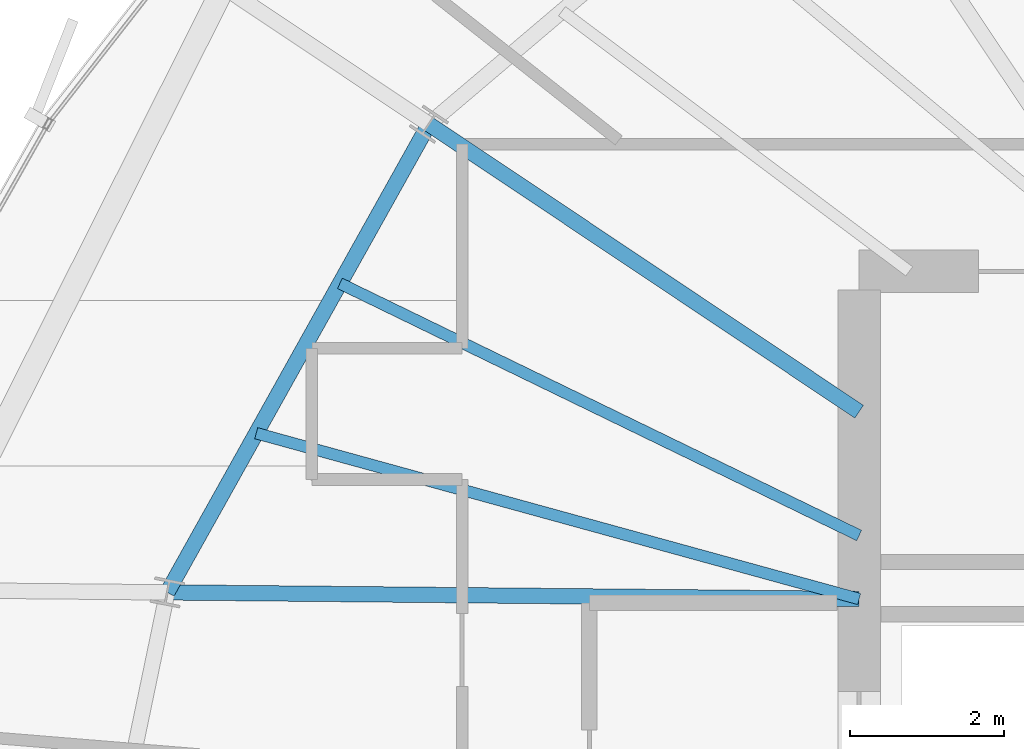
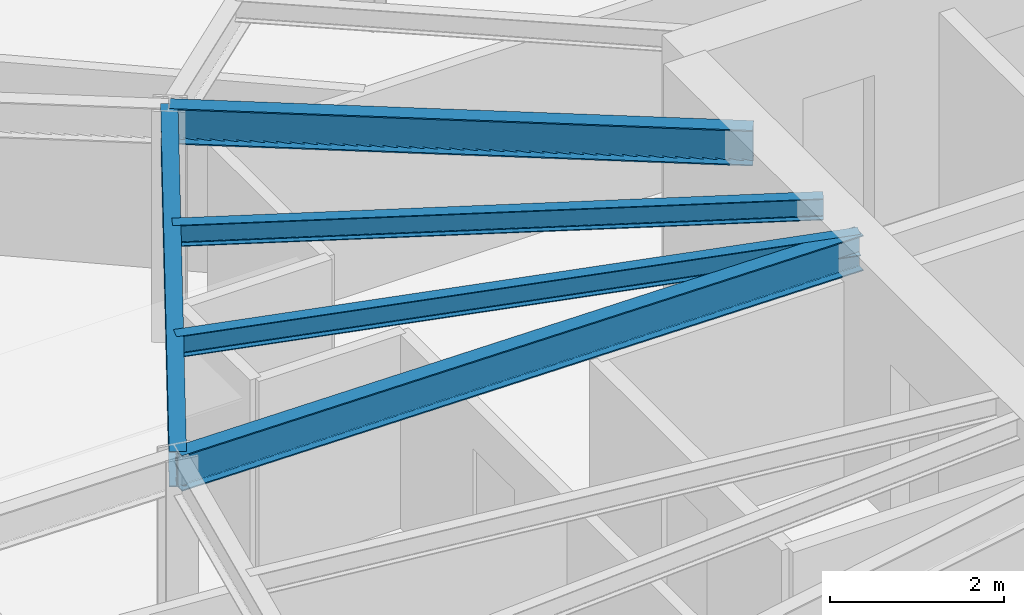
# One storey, part 12 of 35: 5 beams.
"""IFC4 building model written with IfcOpenShell, lengths in metres."""

from ifc_helpers import new_model, si_unit, direction, frame, origin, origin_2d, place, context, subcontext, project, spatial, i_section, extrude, source, transform, mapped, material, material_profile, profile_set, type_object, element, save


model = new_model("IFC4")

# Units and contexts
model_context = context("Model", 3, precision=1e-05, world=origin(), true_north=direction((0.0, 1.0)))
body_context = subcontext(model_context, "Body", "Model", "MODEL_VIEW")
ifc_project = project(units=[si_unit("LENGTHUNIT", "METRE"), si_unit("AREAUNIT", "SQUARE_METRE"), si_unit("VOLUMEUNIT", "CUBIC_METRE"), si_unit("PLANEANGLEUNIT", "RADIAN"), si_unit("MASSUNIT", "GRAM", prefix="KILO"), si_unit("THERMODYNAMICTEMPERATUREUNIT", "KELVIN")], contexts=[model_context])

# Site, building, storey
site_placement = place(None, origin())
site = spatial("IfcSite", under=ifc_project, at=site_placement, CompositionType="ELEMENT")
building_placement = place(site_placement, origin())
building = spatial("IfcBuilding", under=site, at=building_placement, Name="Kethvar Cultural Tower", CompositionType="ELEMENT")
storey_placement = place(building_placement, frame((0.0, 0.0, 193.89990234375)))
storey = spatial("IfcBuildingStorey", under=building, at=storey_placement, Name="L50", CompositionType="ELEMENT", Elevation=193.89990234375)

# Beams
ifc_material = material(Name="Steel S355J2", Category="steel")
ifc_material_profile_1 = material_profile(ifc_material, i_section(OverallWidth=0.199951171875, OverallDepth=0.5, WebThickness=0.01025390625, FlangeThickness=0.01611328125, FilletRadius=0.02099609375, at=origin_2d()), Name="Steel S355J2 — IPE500")
ifc_profile_set_1 = profile_set([ifc_material_profile_1], Name="Steel S355J2 — IPE500")
beam_type_1 = type_object("IfcBeamType", Name="BM-IPE500", PredefinedType="BEAM", material=ifc_profile_set_1)
shared_shape_1 = source(origin(), body_context, "Body", "SweptSolid", [
    extrude(i_section(OverallWidth=0.199951171875, OverallDepth=0.5, WebThickness=0.01025390625, FlangeThickness=0.01611328125, FilletRadius=0.02099609375, at=origin_2d()), origin(), (0.0, 0.0, 1.0), 6.713134765625),
])
beam_1_placement = place(storey_placement, frame((38.0, 33.679931640625, 3.008056640625), z_axis=(-0.831479157792, 0.55555594692, 0.0), x_axis=(-0.55555594692, -0.831479157792, 0.0)))
element("IfcBeam", 1, at=beam_1_placement, inside=storey, type_object=beam_type_1, Name="L50 Primary Radial Beam RB-07", PredefinedType="BEAM", context=body_context, shape_type="MappedRepresentation", body=[
    mapped(shared_shape_1, transform((0.0, 0.0, 0.0), scale=1.0)),
])
shared_shape_2 = source(origin(), body_context, "Body", "SweptSolid", [
    extrude(i_section(OverallWidth=0.199951171875, OverallDepth=0.5, WebThickness=0.01025390625, FlangeThickness=0.01611328125, FilletRadius=0.02099609375, at=origin_2d()), origin(), (0.0, 0.0, 1.0), 8.9755859375),
])
beam_2_placement = place(storey_placement, frame((38.0, 31.25, 3.008056640625), z_axis=(-0.999954421893, 0.00954746755, 0.0), x_axis=(-0.00954746755, -0.999954421893, 0.0)))
element("IfcBeam", 2, at=beam_2_placement, inside=storey, type_object=beam_type_1, Name="L50 Primary Radial Beam RB-08", PredefinedType="BEAM", context=body_context, shape_type="MappedRepresentation", body=[
    mapped(shared_shape_2, transform((0.0, 0.0, 0.0), scale=1.0)),
])
shared_shape_3 = source(origin(), body_context, "Body", "SweptSolid", [
    extrude(i_section(OverallWidth=0.199951171875, OverallDepth=0.5, WebThickness=0.01025390625, FlangeThickness=0.01611328125, FilletRadius=0.02099609375, at=origin_2d()), origin(), (0.0, 0.0, 1.0), 6.957275390625),
])
beam_3_placement = place(storey_placement, frame((32.418212890625, 37.409423828125, 3.008056640625), z_axis=(-0.487730122968, -0.872994459976, 0.0), x_axis=(0.872994459976, -0.487730122968, 0.0)))
element("IfcBeam", 3, at=beam_3_placement, inside=storey, type_object=beam_type_1, Name="L50 Column Ring Tie Beam CR-07", PredefinedType="BEAM", context=body_context, shape_type="MappedRepresentation", body=[
    mapped(shared_shape_3, transform((0.0, 0.0, 0.0), scale=1.0)),
])
ifc_material_profile_2 = material_profile(ifc_material, i_section(OverallWidth=0.14990234375, OverallDepth=0.300048828125, WebThickness=0.007080078125, FlangeThickness=0.0107421875, FilletRadius=0.014892578125, at=origin_2d()), Name="Steel S355J2 — IPE300")
ifc_profile_set_2 = profile_set([ifc_material_profile_2], Name="Steel S355J2 — IPE300")
beam_type_2 = type_object("IfcBeamType", Name="BM-J300", PredefinedType="JOIST", material=ifc_profile_set_2)
shared_shape_4 = source(origin(), body_context, "Body", "SweptSolid", [
    extrude(i_section(OverallWidth=0.14990234375, OverallDepth=0.300048828125, WebThickness=0.007080078125, FlangeThickness=0.0107421875, FilletRadius=0.014892578125, at=origin_2d()), origin(), (0.0, 0.0, 1.0), 7.48779296875),
])
beam_4_placement = place(storey_placement, frame((38.0, 32.073486328125, 3.108154296875), z_axis=(-0.8995385432, 0.436841400623, 0.0), x_axis=(-0.436841400623, -0.8995385432, 0.0)))
element("IfcBeam", 4, at=beam_4_placement, inside=storey, type_object=beam_type_2, Name="L50 Composite Floor Joist J-07A", PredefinedType="JOIST", context=body_context, shape_type="MappedRepresentation", body=[
    mapped(shared_shape_4, transform((0.0, 0.0, 0.0), scale=1.0)),
])
shared_shape_5 = source(origin(), body_context, "Body", "SweptSolid", [
    extrude(i_section(OverallWidth=0.14990234375, OverallDepth=0.300048828125, WebThickness=0.007080078125, FlangeThickness=0.0107421875, FilletRadius=0.014892578125, at=origin_2d()), origin(), (0.0, 0.0, 1.0), 8.111572265625),
])
beam_5_placement = place(storey_placement, frame((38.0, 31.25, 3.108154296875), z_axis=(-0.96420462331, 0.265159281164, 0.0), x_axis=(-0.265159281164, -0.96420462331, 0.0)))
element("IfcBeam", 5, at=beam_5_placement, inside=storey, type_object=beam_type_2, Name="L50 Composite Floor Joist J-07B", PredefinedType="JOIST", context=body_context, shape_type="MappedRepresentation", body=[
    mapped(shared_shape_5, transform((0.0, 0.0, 0.0), scale=1.0)),
])

save(model, "model.ifc")
